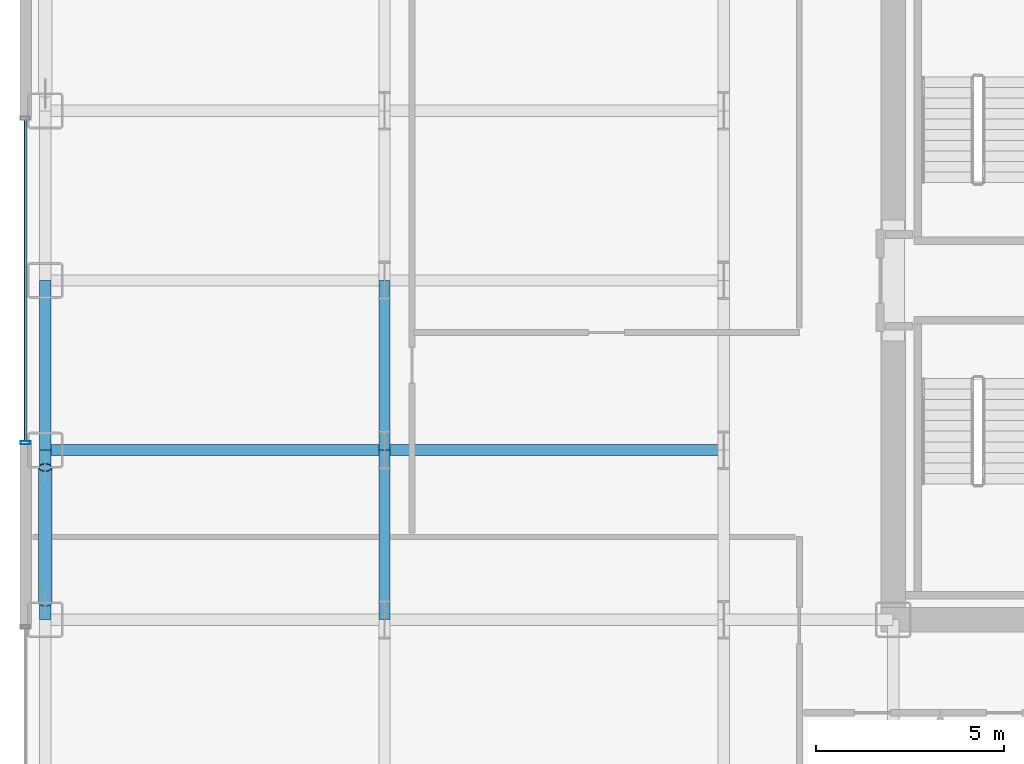
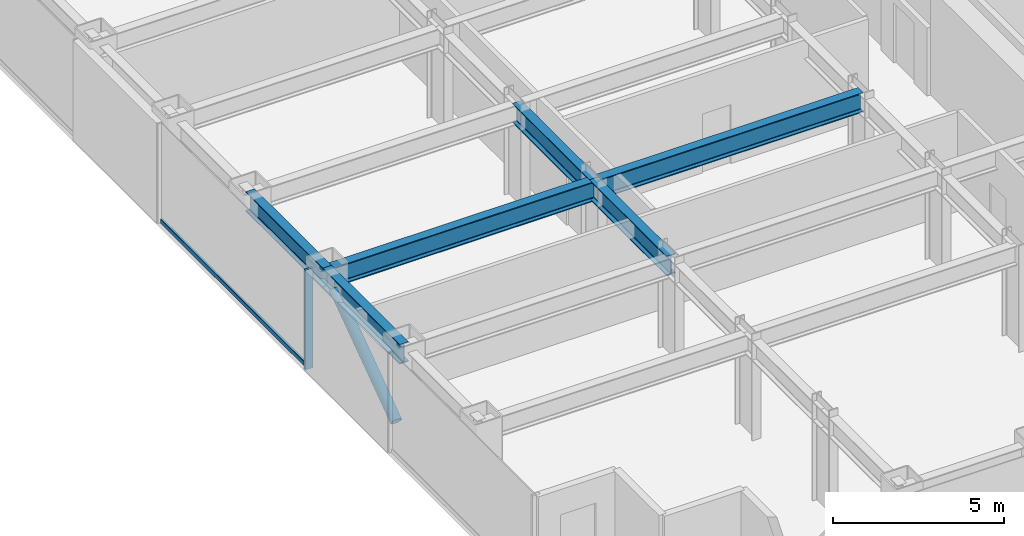
# One storey, part 5 of 29: 6 beams, 3 members, 1 element without a shape of its own.
"""IFC4 building model written with IfcOpenShell, lengths in metres."""

from ifc_helpers import new_model, si_unit, direction, frame, origin, origin_2d, place, context, subcontext, project, spatial, hollow_rectangle, hollow_circle, i_section, extrude, source, transform, mapped, material, layer, layer_set, material_profile, profile_set, type_object, element, aggregate, save


model = new_model("IFC4")

# Units and contexts
model_context = context("Model", 3, precision=1e-05, world=origin(), true_north=direction((0.0, 1.0)))
body_context = subcontext(model_context, "Body", "Model", "MODEL_VIEW")
ifc_project = project(units=[si_unit("LENGTHUNIT", "METRE"), si_unit("AREAUNIT", "SQUARE_METRE"), si_unit("VOLUMEUNIT", "CUBIC_METRE"), si_unit("PLANEANGLEUNIT", "RADIAN"), si_unit("MASSUNIT", "GRAM", prefix="KILO")], contexts=[model_context])

# Site, building, storey
site_placement = place(None, origin())
site = spatial("IfcSite", under=ifc_project, at=site_placement, CompositionType="ELEMENT")
building_placement = place(site_placement, origin())
building = spatial("IfcBuilding", under=site, at=building_placement, Name="Nefas-Gora Pilgrimage Tower", CompositionType="ELEMENT")
storey_placement = place(building_placement, frame((0.0, 0.0, 78.60009765625)))
storey = spatial("IfcBuildingStorey", under=building, at=storey_placement, Name="L18", CompositionType="ELEMENT", Elevation=78.60009765625)

# Beams
ifc_material_1 = material(Name="Steel S355", Category="steel")
ifc_material_profile_1 = material_profile(ifc_material_1, i_section(OverallWidth=0.300048828125, OverallDepth=0.699951171875, WebThickness=0.01708984375, FlangeThickness=0.031982421875, FilletRadius=0.027099609375, at=origin_2d()), Name="HEB 700")
ifc_profile_set_1 = profile_set([ifc_material_profile_1], Name="Steel S355")
beam_type_1 = type_object("IfcBeamType", Name="BM-SPN-HEB600", PredefinedType="SPANDREL", material=ifc_profile_set_1)
shared_shape_1 = source(origin(), body_context, "Body", "SweptSolid", [
    extrude(i_section(OverallWidth=0.300048828125, OverallDepth=0.699951171875, WebThickness=0.01708984375, FlangeThickness=0.031982421875, FilletRadius=0.027099609375, at=origin_2d()), origin(), (0.0, 0.0, 1.0), 4.5),
])
for number, where, z_axis, x_axis, name in (
    (1, (-33.75, -9.0, 3.199951171875), (0.0, 1.0, 0.0), (-1.0, 0.0, 0.0), "L18 SP-01 beam"),
    (2, (-33.75, -4.5, 3.199951171875), (0.0, 1.0, 0.0), (-1.0, 0.0, 0.0), "L18 SP-01 beam"),
):
    element("IfcBeam", number, at=place(storey_placement, frame(where, z_axis=z_axis, x_axis=x_axis)), inside=storey, type_object=beam_type_1, Name=name, PredefinedType="SPANDREL", context=body_context, shape_type="MappedRepresentation", body=[
        mapped(shared_shape_1, transform((0.0, 0.0, 0.0), x_axis=(1.0, 0.0, 0.0), y_axis=(0.0, 1.0, 0.0), z_axis=(0.0, 0.0, 1.0), scale=1.0)),
    ])
ifc_material_profile_2 = material_profile(ifc_material_1, i_section(OverallWidth=0.300048828125, OverallDepth=0.699951171875, WebThickness=0.01708984375, FlangeThickness=0.031982421875, FilletRadius=0.027099609375, at=origin_2d()), Name="HEB 700")
ifc_profile_set_2 = profile_set([ifc_material_profile_2], Name="Steel S355")
beam_type_2 = type_object("IfcBeamType", Name="BM-GIR-HEB700", PredefinedType="BEAM", material=ifc_profile_set_2)
shared_shape_2 = source(origin(), body_context, "Body", "SweptSolid", [
    extrude(i_section(OverallWidth=0.300048828125, OverallDepth=0.699951171875, WebThickness=0.01708984375, FlangeThickness=0.031982421875, FilletRadius=0.027099609375, at=origin_2d()), origin(), (0.0, 0.0, 1.0), 9.0),
])
for number, where, z_axis, x_axis, name in (
    (3, (-33.75, -4.5, 3.199951171875), (1.0, 0.0, 0.0), (0.0, 1.0, 0.0), "L18 G-02 beam"),
    (4, (-24.75, -4.5, 3.199951171875), (1.0, 0.0, 0.0), (0.0, 1.0, 0.0), "L18 G-02 beam"),
):
    element("IfcBeam", number, at=place(storey_placement, frame(where, z_axis=z_axis, x_axis=x_axis)), inside=storey, type_object=beam_type_2, Name=name, PredefinedType="BEAM", context=body_context, shape_type="MappedRepresentation", body=[
        mapped(shared_shape_2, transform((0.0, 0.0, 0.0), x_axis=(1.0, 0.0, 0.0), y_axis=(0.0, 1.0, 0.0), z_axis=(0.0, 0.0, 1.0), scale=1.0)),
    ])
shared_shape_3 = source(origin(), body_context, "Body", "SweptSolid", [
    extrude(i_section(OverallWidth=0.300048828125, OverallDepth=0.699951171875, WebThickness=0.01708984375, FlangeThickness=0.031982421875, FilletRadius=0.027099609375, at=origin_2d()), origin(), (0.0, 0.0, 1.0), 4.5),
])
for number, where, z_axis, x_axis, name in (
    (5, (-24.75, -9.0, 3.199951171875), (0.0, 1.0, 0.0), (-1.0, 0.0, 0.0), "L18 G-02 beam"),
    (6, (-24.75, -4.5, 3.199951171875), (0.0, 1.0, 0.0), (-1.0, 0.0, 0.0), "L18 G-02 beam"),
):
    element("IfcBeam", number, at=place(storey_placement, frame(where, z_axis=z_axis, x_axis=x_axis)), inside=storey, type_object=beam_type_2, Name=name, PredefinedType="BEAM", context=body_context, shape_type="MappedRepresentation", body=[
        mapped(shared_shape_3, transform((0.0, 0.0, 0.0), x_axis=(1.0, 0.0, 0.0), y_axis=(0.0, 1.0, 0.0), z_axis=(0.0, 0.0, 1.0), scale=1.0)),
    ])

# Member
ifc_material_2 = material(Name="Steel S460", Category="steel")
ifc_material_profile_3 = material_profile(ifc_material_2, hollow_circle(Radius=0.177734375, WallThickness=0.02001953125, at=origin_2d()), Name="CHS 355.6x20")
ifc_profile_set_3 = profile_set([ifc_material_profile_3], Name="Steel S460")
member_type_1 = type_object("IfcMemberType", Name="MEM-TUBE-356", PredefinedType="BRACE", material=ifc_profile_set_3)
shared_shape_4 = source(origin(), body_context, "Body", "SweptSolid", [
    extrude(hollow_circle(Radius=0.177734375, WallThickness=0.02001953125, at=origin_2d()), origin(), (0.0, 0.0, 1.0), 4.39501953125),
])
member_1_placement = place(storey_placement, frame((-33.75, -8.537109375, 0.481201171875), z_axis=(0.0, 0.813264026864, 0.581894855287), x_axis=(-1.0, 0.0, 0.0)))
element("IfcMember", 7, at=member_1_placement, inside=storey, type_object=member_type_1, Name="L18 Perimeter Tube Diagonal Brace W1", PredefinedType="BRACE", context=body_context, shape_type="MappedRepresentation", body=[
    mapped(shared_shape_4, transform((0.0, 0.0, 0.0), x_axis=(1.0, 0.0, 0.0), y_axis=(0.0, 1.0, 0.0), z_axis=(0.0, 0.0, 1.0), scale=1.0)),
])

# Curtain wall, members
ifc_material_3 = material(Name="Dark ceramic-fritted solar-control aluminium-glass curtain wall", Category="aluminium")
ifc_layer = layer(ifc_material_3, 0.219970703125)
ifc_layer_set = layer_set([ifc_layer], Name="Dark ceramic-fritted solar-control aluminium-glass curtain wall")
curtain_wall_type = type_object("IfcCurtainWallType", Name="CW-SYS-2", PredefinedType="NOTDEFINED", material=ifc_layer_set)
curtain_wall_placement = place(storey_placement, origin())
curtain_wall = element("IfcCurtainWall", 8, at=curtain_wall_placement, inside=storey, type_object=curtain_wall_type, Name="L18 Unitised Curtain Wall CW2", PredefinedType="NOTDEFINED")
ifc_material_4 = material(Name="Anodised architectural aluminium", Category="aluminium")
ifc_material_profile_4 = material_profile(ifc_material_4, hollow_rectangle(XDim=0.080078125, YDim=0.159912109375, WallThickness=0.00439453125, InnerFilletRadius=0.00439453125, OuterFilletRadius=0.009033203125, at=origin_2d()), Name="ALU TRANSOM 80x160")
ifc_profile_set_4 = profile_set([ifc_material_profile_4], Name="Anodised architectural aluminium")
member_type_2 = type_object("IfcMemberType", Name="CWM-TRN-2", PredefinedType="USERDEFINED", material=ifc_profile_set_4)
shared_shape_5 = source(origin(), body_context, "Body", "SweptSolid", [
    extrude(hollow_rectangle(XDim=0.080078125, YDim=0.159912109375, WallThickness=0.00439453125, InnerFilletRadius=0.00439453125, OuterFilletRadius=0.009033203125, at=origin_2d()), origin(), (0.0, 0.0, 1.0), 8.52001953125),
])
member_2_placement = place(storey_placement, frame((-34.27001953125, 4.260009765625, 0.0498046875), z_axis=(0.0, -1.0, 0.0), x_axis=(1.0, 0.0, 0.0)))
member_2 = element("IfcMember", 9, at=member_2_placement, type_object=member_type_2, Name="CW2 Spandrel Transom", ObjectType="TRANSOM", PredefinedType="USERDEFINED", context=body_context, shape_type="MappedRepresentation", body=[
    mapped(shared_shape_5, transform((0.0, 0.0, 0.0), x_axis=(1.0, 0.0, 0.0), y_axis=(0.0, 1.0, 0.0), z_axis=(0.0, 0.0, 1.0), scale=1.0)),
])
ifc_material_profile_5 = material_profile(ifc_material_4, hollow_rectangle(XDim=0.090087890625, YDim=0.260009765625, WallThickness=0.006103515625, InnerFilletRadius=0.006103515625, OuterFilletRadius=0.011962890625, at=origin_2d()), Name="ALU MULLION 90x260")
ifc_profile_set_5 = profile_set([ifc_material_profile_5], Name="Anodised architectural aluminium")
member_type_3 = type_object("IfcMemberType", Name="CWM-MUL-2", PredefinedType="MULLION", material=ifc_profile_set_5)
shared_shape_6 = source(origin(), body_context, "Body", "SweptSolid", [
    extrude(hollow_rectangle(XDim=0.090087890625, YDim=0.260009765625, WallThickness=0.006103515625, InnerFilletRadius=0.006103515625, OuterFilletRadius=0.011962890625, at=origin_2d()), origin(), (0.0, 0.0, 1.0), 3.5498046875),
])
member_3_placement = place(storey_placement, frame((-34.27001953125, -4.304931640625, 0.0), z_axis=(0.0, 0.0, 1.0), x_axis=(0.0, -1.0, 0.0)))
member_3 = element("IfcMember", 10, at=member_3_placement, type_object=member_type_3, Name="CW2 Mullion 2", PredefinedType="MULLION", context=body_context, shape_type="MappedRepresentation", body=[
    mapped(shared_shape_6, transform((0.0, 0.0, 0.0), x_axis=(1.0, 0.0, 0.0), y_axis=(0.0, 1.0, 0.0), z_axis=(0.0, 0.0, 1.0), scale=1.0)),
])
aggregate(curtain_wall, [member_3, member_2])

save(model, "model.ifc")
